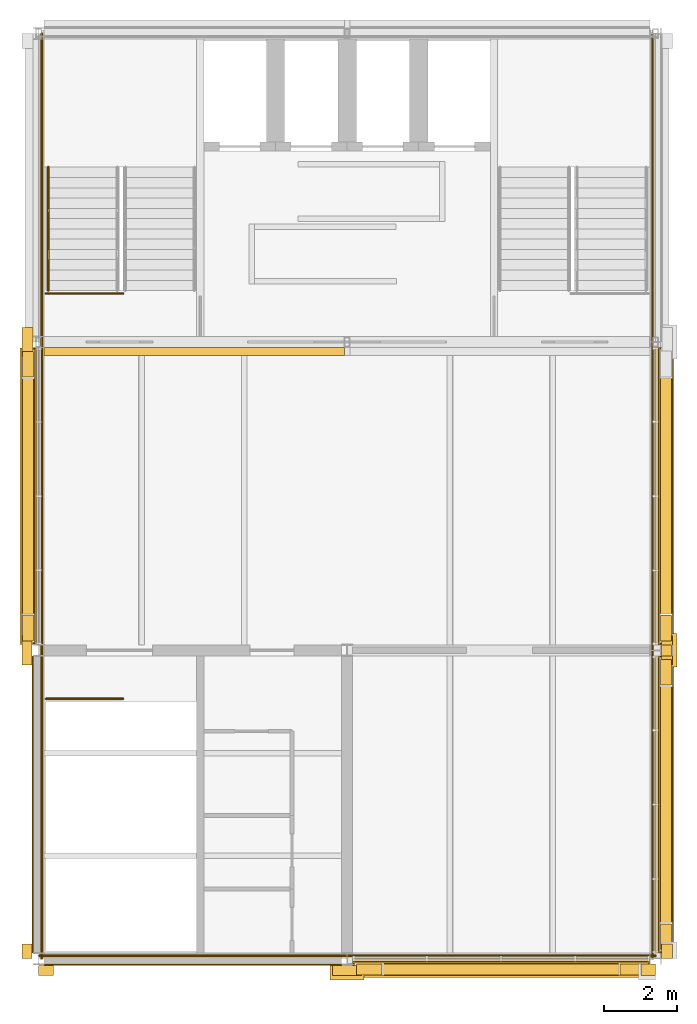
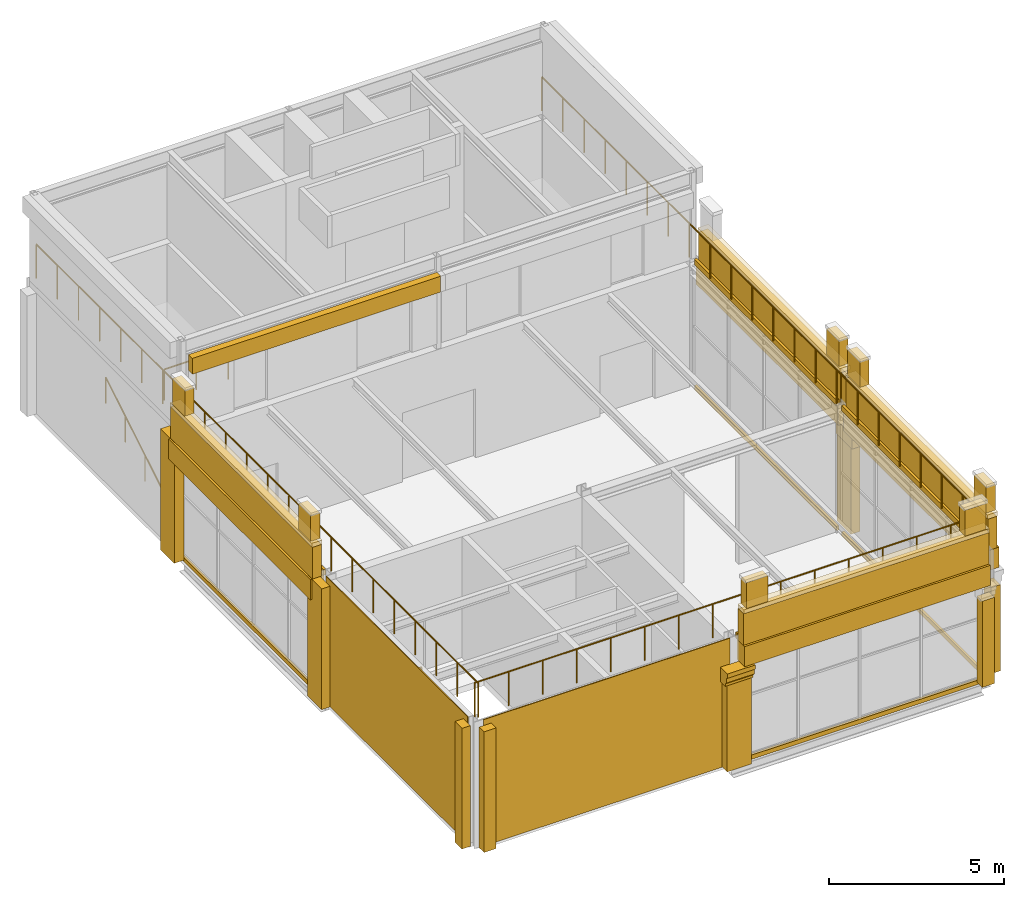
# One storey, part 6 of 7: 41 coverings, 6 railings.
"""IFC4 building model written with IfcOpenShell, lengths in metres."""

from ifc_helpers import new_model, si_unit, direction, frame, origin, origin_2d, place, context, subcontext, project, spatial, polyline, rectangle, circle, outline, extrude, material, layer, layer_set, type_object, element, save


model = new_model("IFC4")

# Units and contexts
model_context = context("Model", 3, precision=1e-05, world=origin(), true_north=direction((0.0, 1.0)))
body_context = subcontext(model_context, "Body", "Model", "MODEL_VIEW")
ifc_project = project(units=[si_unit("LENGTHUNIT", "METRE"), si_unit("AREAUNIT", "SQUARE_METRE"), si_unit("VOLUMEUNIT", "CUBIC_METRE"), si_unit("PLANEANGLEUNIT", "RADIAN"), si_unit("MASSUNIT", "GRAM", prefix="KILO")], contexts=[model_context])

# Site, building, storey
site_placement = place(None, origin())
site = spatial("IfcSite", under=ifc_project, at=site_placement, CompositionType="ELEMENT")
building_placement = place(site_placement, origin())
building = spatial("IfcBuilding", under=site, at=building_placement, Name="Galleria Vessillo Department Store", CompositionType="ELEMENT")
storey_placement = place(building_placement, frame((0.0, 0.0, 67.60009765625)))
storey = spatial("IfcBuildingStorey", under=building, at=storey_placement, Name="L15", CompositionType="ELEMENT", Elevation=67.60009765625)

# Coverings
ifc_material_1 = material(Name="Botticino limestone ashlar", Category="masonry")
ifc_layer_1 = layer(ifc_material_1, 0.449951171875)
ifc_layer_set_1 = layer_set([ifc_layer_1], Name="Botticino limestone ashlar")
covering_type_1 = type_object("IfcCoveringType", Name="Limestone cornice 450 x 700", PredefinedType="MOLDING", material=ifc_layer_set_1)
covering_1_placement = place(storey_placement, frame((100.51513671875, 50.39990234375, 3.5), z_axis=(0.0, 0.0, 1.0), x_axis=(1.0, 0.0, 0.0)))
element("IfcCovering", 1, at=covering_1_placement, inside=storey, type_object=covering_type_1, Name="Cornice TW-L15-01", PredefinedType="MOLDING", context=body_context, shape_type="SweptSolid", body=[
    extrude(rectangle(XDim=0.449951171875, YDim=8.080078125, at=origin_2d()), origin(), (0.0, 0.0, 1.0), 0.699951171875),
])
covering_2_placement = place(storey_placement, frame((113.39501953125, 37.51513671875, 3.5), z_axis=(0.0, 0.0, 1.0), x_axis=(1.0, 0.0, 0.0)))
element("IfcCovering", 2, at=covering_2_placement, inside=storey, type_object=covering_type_1, Name="Cornice TS-L15-01", PredefinedType="MOLDING", context=body_context, shape_type="SweptSolid", body=[
    extrude(rectangle(XDim=8.090087890625, YDim=0.449951171875, at=origin_2d()), origin(), (0.0, 0.0, 1.0), 0.699951171875),
])
covering_3_placement = place(storey_placement, frame((117.885009765625, 42.0, 3.5), z_axis=(0.0, 0.0, 1.0), x_axis=(1.0, 0.0, 0.0)))
element("IfcCovering", 3, at=covering_3_placement, inside=storey, type_object=covering_type_1, Name="Cornice TE-L15-01", PredefinedType="MOLDING", context=body_context, shape_type="SweptSolid", body=[
    extrude(rectangle(XDim=0.449951171875, YDim=8.099853515625, at=origin_2d()), origin(), (0.0, 0.0, 1.0), 0.699951171875),
])
covering_4_placement = place(storey_placement, frame((117.885009765625, 50.39990234375, 3.5), z_axis=(0.0, 0.0, 1.0), x_axis=(1.0, 0.0, 0.0)))
element("IfcCovering", 4, at=covering_4_placement, inside=storey, type_object=covering_type_1, Name="Cornice TE-L15-02", PredefinedType="MOLDING", context=body_context, shape_type="SweptSolid", body=[
    extrude(rectangle(XDim=0.449951171875, YDim=8.10009765625, at=origin_2d()), origin(), (0.0, 0.0, 1.0), 0.699951171875),
])
ifc_material_2 = material(Name="Botticino limestone ashlar", Category="masonry")
ifc_layer_2 = layer(ifc_material_2, 0.300048828125)
ifc_layer_set_2 = layer_set([ifc_layer_2], Name="Botticino limestone ashlar")
covering_type_2 = type_object("IfcCoveringType", Name="Limestone crown blocking course 300 x 1100", PredefinedType="CLADDING", material=ifc_layer_set_2)
covering_5_placement = place(storey_placement, frame((100.510009765625, 50.39990234375, 4.199951171875), z_axis=(0.0, 0.0, 1.0), x_axis=(1.0, 0.0, 0.0)))
element("IfcCovering", 5, at=covering_5_placement, inside=storey, type_object=covering_type_2, Name="Crown blocking course TW-L15-01", PredefinedType="CLADDING", context=body_context, shape_type="SweptSolid", body=[
    extrude(rectangle(XDim=0.300048828125, YDim=8.080078125, at=origin_2d()), origin(), (0.0, 0.0, 1.0), 1.10009765625),
])
covering_6_placement = place(storey_placement, frame((113.39501953125, 37.510009765625, 4.199951171875), z_axis=(0.0, 0.0, 1.0), x_axis=(1.0, 0.0, 0.0)))
element("IfcCovering", 6, at=covering_6_placement, inside=storey, type_object=covering_type_2, Name="Crown blocking course TS-L15-01", PredefinedType="CLADDING", context=body_context, shape_type="SweptSolid", body=[
    extrude(rectangle(XDim=8.090087890625, YDim=0.300048828125, at=origin_2d()), origin(), (0.0, 0.0, 1.0), 1.10009765625),
])
covering_7_placement = place(storey_placement, frame((117.89013671875, 42.0, 4.199951171875), z_axis=(0.0, 0.0, 1.0), x_axis=(1.0, 0.0, 0.0)))
element("IfcCovering", 7, at=covering_7_placement, inside=storey, type_object=covering_type_2, Name="Crown blocking course TE-L15-01", PredefinedType="CLADDING", context=body_context, shape_type="SweptSolid", body=[
    extrude(rectangle(XDim=0.300048828125, YDim=8.099853515625, at=origin_2d()), origin(), (0.0, 0.0, 1.0), 1.10009765625),
])
covering_8_placement = place(storey_placement, frame((117.89013671875, 50.39990234375, 4.199951171875), z_axis=(0.0, 0.0, 1.0), x_axis=(1.0, 0.0, 0.0)))
element("IfcCovering", 8, at=covering_8_placement, inside=storey, type_object=covering_type_2, Name="Crown blocking course TE-L15-02", PredefinedType="CLADDING", context=body_context, shape_type="SweptSolid", body=[
    extrude(rectangle(XDim=0.300048828125, YDim=8.10009765625, at=origin_2d()), origin(), (0.0, 0.0, 1.0), 1.10009765625),
])
covering_9_placement = place(storey_placement, frame((117.900146484375, 46.199951171875, 4.199951171875), z_axis=(0.0, 0.0, 1.0), x_axis=(1.0, 0.0, 0.0)))
element("IfcCovering", 9, at=covering_9_placement, inside=storey, type_object=covering_type_2, Name="Joint block Crown blocking course TE-L15-01", PredefinedType="CLADDING", context=body_context, shape_type="SweptSolid", body=[
    extrude(rectangle(XDim=0.27978515625, YDim=0.300048828125, at=origin_2d()), origin(), (0.0, 0.0, 1.0), 1.10009765625),
])
ifc_material_3 = material(Name="Botticino limestone ashlar", Category="masonry")
ifc_layer_3 = layer(ifc_material_3, 0.340087890625)
ifc_layer_set_3 = layer_set([ifc_layer_3], Name="Botticino limestone ashlar")
covering_type_3 = type_object("IfcCoveringType", Name="Limestone crown cap 340 x 150", PredefinedType="MOLDING", material=ifc_layer_set_3)
covering_10_placement = place(storey_placement, frame((100.510009765625, 50.39990234375, 5.300048828125), z_axis=(0.0, 0.0, 1.0), x_axis=(1.0, 0.0, 0.0)))
element("IfcCovering", 10, at=covering_10_placement, inside=storey, type_object=covering_type_3, Name="Crown cap TW-L15-01", PredefinedType="MOLDING", context=body_context, shape_type="SweptSolid", body=[
    extrude(rectangle(XDim=0.340087890625, YDim=8.080078125, at=origin_2d()), origin(), (0.0, 0.0, 1.0), 0.14990234375),
])
covering_11_placement = place(storey_placement, frame((113.39501953125, 37.510009765625, 5.300048828125), z_axis=(0.0, 0.0, 1.0), x_axis=(1.0, 0.0, 0.0)))
element("IfcCovering", 11, at=covering_11_placement, inside=storey, type_object=covering_type_3, Name="Crown cap TS-L15-01", PredefinedType="MOLDING", context=body_context, shape_type="SweptSolid", body=[
    extrude(rectangle(XDim=8.090087890625, YDim=0.340087890625, at=origin_2d()), origin(), (0.0, 0.0, 1.0), 0.14990234375),
])
covering_12_placement = place(storey_placement, frame((117.89013671875, 42.0, 5.300048828125), z_axis=(0.0, 0.0, 1.0), x_axis=(1.0, 0.0, 0.0)))
element("IfcCovering", 12, at=covering_12_placement, inside=storey, type_object=covering_type_3, Name="Crown cap TE-L15-01", PredefinedType="MOLDING", context=body_context, shape_type="SweptSolid", body=[
    extrude(rectangle(XDim=0.340087890625, YDim=8.099853515625, at=origin_2d()), origin(), (0.0, 0.0, 1.0), 0.14990234375),
])
covering_13_placement = place(storey_placement, frame((117.89013671875, 50.39990234375, 5.300048828125), z_axis=(0.0, 0.0, 1.0), x_axis=(1.0, 0.0, 0.0)))
element("IfcCovering", 13, at=covering_13_placement, inside=storey, type_object=covering_type_3, Name="Crown cap TE-L15-02", PredefinedType="MOLDING", context=body_context, shape_type="SweptSolid", body=[
    extrude(rectangle(XDim=0.340087890625, YDim=8.10009765625, at=origin_2d()), origin(), (0.0, 0.0, 1.0), 0.14990234375),
])
ifc_material_4 = material(Name="Botticino limestone ashlar", Category="masonry")
ifc_layer_4 = layer(ifc_material_4, 0.300048828125)
ifc_layer_set_4 = layer_set([ifc_layer_4], Name="Botticino limestone ashlar")
covering_type_4 = type_object("IfcCoveringType", Name="Limestone crown pedestal 700 x 300 x 900", PredefinedType="CLADDING", material=ifc_layer_set_4)
for number, where, z_axis, x_axis, name in (
    (14, (100.510009765625, 46.81005859375, 5.449951171875), (0.0, 0.0, 1.0), (1.0, 0.0, 0.0), "Crown pedestal TW-L15-01 0"),
    (15, (100.510009765625, 53.989990234375, 5.449951171875), (0.0, 0.0, 1.0), (1.0, 0.0, 0.0), "Crown pedestal TW-L15-01 1"),
):
    element("IfcCovering", number, at=place(storey_placement, frame(where, z_axis=z_axis, x_axis=x_axis)), inside=storey, type_object=covering_type_4, Name=name, PredefinedType="CLADDING", context=body_context, shape_type="SweptSolid", body=[
        extrude(rectangle(XDim=0.300048828125, YDim=0.699951171875, at=origin_2d()), origin(), (0.0, 0.0, 1.0), 0.89990234375),
    ])
for number, where, z_axis, x_axis, name in (
    (16, (109.800048828125, 37.510009765625, 5.449951171875), (0.0, 0.0, 1.0), (1.0, 0.0, 0.0), "Crown pedestal TS-L15-01 0"),
    (17, (116.989990234375, 37.510009765625, 5.449951171875), (0.0, 0.0, 1.0), (1.0, 0.0, 0.0), "Crown pedestal TS-L15-01 1"),
):
    element("IfcCovering", number, at=place(storey_placement, frame(where, z_axis=z_axis, x_axis=x_axis)), inside=storey, type_object=covering_type_4, Name=name, PredefinedType="CLADDING", context=body_context, shape_type="SweptSolid", body=[
        extrude(rectangle(XDim=0.699951171875, YDim=0.300048828125, at=origin_2d()), origin(), (0.0, 0.0, 1.0), 0.89990234375),
    ])
for number, where, z_axis, x_axis, name in (
    (18, (117.89013671875, 38.400146484375, 5.449951171875), (0.0, 0.0, 1.0), (1.0, 0.0, 0.0), "Crown pedestal TE-L15-01 0"),
    (19, (117.89013671875, 45.599853515625, 5.449951171875), (0.0, 0.0, 1.0), (1.0, 0.0, 0.0), "Crown pedestal TE-L15-01 1"),
    (20, (117.89013671875, 46.800048828125, 5.449951171875), (0.0, 0.0, 1.0), (1.0, 0.0, 0.0), "Crown pedestal TE-L15-02 0"),
):
    element("IfcCovering", number, at=place(storey_placement, frame(where, z_axis=z_axis, x_axis=x_axis)), inside=storey, type_object=covering_type_4, Name=name, PredefinedType="CLADDING", context=body_context, shape_type="SweptSolid", body=[
        extrude(rectangle(XDim=0.300048828125, YDim=0.699951171875, at=origin_2d()), origin(), (0.0, 0.0, 1.0), 0.89990234375),
    ])
ifc_material_5 = material(Name="Botticino limestone ashlar", Category="masonry")
ifc_layer_5 = layer(ifc_material_5, 0.219970703125)
ifc_layer_set_5 = layer_set([ifc_layer_5], Name="Botticino limestone ashlar")
covering_type_5 = type_object("IfcCoveringType", Name="Limestone head-house cornice 220 x 550", PredefinedType="MOLDING", material=ifc_layer_set_5)
covering_14_placement = place(storey_placement, frame((105.03759765625, 54.340087890625, 6.35009765625), z_axis=(0.0, 0.0, 1.0), x_axis=(1.0, 0.0, 0.0)))
element("IfcCovering", 21, at=covering_14_placement, inside=storey, type_object=covering_type_5, Name="Head-house cornice south-1", PredefinedType="MOLDING", context=body_context, shape_type="SweptSolid", body=[
    extrude(rectangle(XDim=8.175048828125, YDim=0.219970703125, at=origin_2d()), origin(), (0.0, 0.0, 1.0), 0.550048828125),
])
ifc_material_6 = material(Name="Botticino limestone ashlar", Category="masonry")
ifc_layer_6 = layer(ifc_material_6, 0.14990234375)
ifc_layer_set_6 = layer_set([ifc_layer_6], Name="Botticino limestone ashlar")
covering_type_6 = type_object("IfcCoveringType", Name="Limestone slab-edge fascia 150 mm", PredefinedType="CLADDING", material=ifc_layer_set_6)
covering_15_placement = place(storey_placement, frame((100.760009765625, 50.39990234375, -0.14990234375), z_axis=(0.0, 0.0, 1.0), x_axis=(1.0, 0.0, 0.0)))
element("IfcCovering", 22, at=covering_15_placement, inside=storey, type_object=covering_type_6, Name="Slab-edge fascia TW-L14-01", PredefinedType="CLADDING", context=body_context, shape_type="SweptSolid", body=[
    extrude(rectangle(XDim=0.080078125, YDim=8.080078125, at=origin_2d()), origin(), (0.0, 0.0, 1.0), 0.14990234375),
])
covering_16_placement = place(storey_placement, frame((113.39501953125, 37.760009765625, -0.14990234375), z_axis=(0.0, 0.0, 1.0), x_axis=(1.0, 0.0, 0.0)))
element("IfcCovering", 23, at=covering_16_placement, inside=storey, type_object=covering_type_6, Name="Slab-edge fascia TS-L14-01", PredefinedType="CLADDING", context=body_context, shape_type="SweptSolid", body=[
    extrude(rectangle(XDim=8.090087890625, YDim=0.080078125, at=origin_2d()), origin(), (0.0, 0.0, 1.0), 0.14990234375),
])
covering_17_placement = place(storey_placement, frame((117.64013671875, 42.0, -0.14990234375), z_axis=(0.0, 0.0, 1.0), x_axis=(1.0, 0.0, 0.0)))
element("IfcCovering", 24, at=covering_17_placement, inside=storey, type_object=covering_type_6, Name="Slab-edge fascia TE-L14-01", PredefinedType="CLADDING", context=body_context, shape_type="SweptSolid", body=[
    extrude(rectangle(XDim=0.080078125, YDim=8.099853515625, at=origin_2d()), origin(), (0.0, 0.0, 1.0), 0.14990234375),
])
covering_18_placement = place(storey_placement, frame((117.64013671875, 50.39990234375, -0.14990234375), z_axis=(0.0, 0.0, 1.0), x_axis=(1.0, 0.0, 0.0)))
element("IfcCovering", 25, at=covering_18_placement, inside=storey, type_object=covering_type_6, Name="Slab-edge fascia TE-L14-02", PredefinedType="CLADDING", context=body_context, shape_type="SweptSolid", body=[
    extrude(rectangle(XDim=0.080078125, YDim=8.10009765625, at=origin_2d()), origin(), (0.0, 0.0, 1.0), 0.14990234375),
])
covering_19_placement = place(storey_placement, frame((100.760009765625, 50.39990234375, 4.19970703125), z_axis=(0.0, 0.0, 1.0), x_axis=(1.0, 0.0, 0.0)))
element("IfcCovering", 26, at=covering_19_placement, inside=storey, type_object=covering_type_6, Name="Slab-edge fascia TW-L15-01", PredefinedType="CLADDING", context=body_context, shape_type="SweptSolid", body=[
    extrude(rectangle(XDim=0.080078125, YDim=8.080078125, at=origin_2d()), origin(), (0.0, 0.0, 1.0), 0.199951171875),
])
covering_20_placement = place(storey_placement, frame((113.39501953125, 37.760009765625, 4.19970703125), z_axis=(0.0, 0.0, 1.0), x_axis=(1.0, 0.0, 0.0)))
element("IfcCovering", 27, at=covering_20_placement, inside=storey, type_object=covering_type_6, Name="Slab-edge fascia TS-L15-01", PredefinedType="CLADDING", context=body_context, shape_type="SweptSolid", body=[
    extrude(rectangle(XDim=8.090087890625, YDim=0.080078125, at=origin_2d()), origin(), (0.0, 0.0, 1.0), 0.199951171875),
])
covering_21_placement = place(storey_placement, frame((117.64013671875, 42.0, 4.19970703125), z_axis=(0.0, 0.0, 1.0), x_axis=(1.0, 0.0, 0.0)))
element("IfcCovering", 28, at=covering_21_placement, inside=storey, type_object=covering_type_6, Name="Slab-edge fascia TE-L15-01", PredefinedType="CLADDING", context=body_context, shape_type="SweptSolid", body=[
    extrude(rectangle(XDim=0.080078125, YDim=8.099853515625, at=origin_2d()), origin(), (0.0, 0.0, 1.0), 0.199951171875),
])
covering_22_placement = place(storey_placement, frame((117.64013671875, 50.39990234375, 4.19970703125), z_axis=(0.0, 0.0, 1.0), x_axis=(1.0, 0.0, 0.0)))
element("IfcCovering", 29, at=covering_22_placement, inside=storey, type_object=covering_type_6, Name="Slab-edge fascia TE-L15-02", PredefinedType="CLADDING", context=body_context, shape_type="SweptSolid", body=[
    extrude(rectangle(XDim=0.080078125, YDim=8.10009765625, at=origin_2d()), origin(), (0.0, 0.0, 1.0), 0.199951171875),
])
ifc_material_7 = material(Name="Botticino limestone ashlar", Category="masonry")
ifc_layer_7 = layer(ifc_material_7, 0.31005859375)
ifc_layer_set_7 = layer_set([ifc_layer_7], Name="Botticino limestone ashlar")
covering_type_7 = type_object("IfcCoveringType", Name="Limestone tower pilaster strip", PredefinedType="CLADDING", material=ifc_layer_set_7)
covering_23_placement = place(storey_placement, frame((100.47998046875, 38.0, 0.0), z_axis=(0.0, 0.0, 1.0), x_axis=(1.0, 0.0, 0.0)))
element("IfcCovering", 30, at=covering_23_placement, inside=storey, type_object=covering_type_7, Name="Tower pilaster strip W L15 37.8", PredefinedType="CLADDING", context=body_context, shape_type="SweptSolid", body=[
    extrude(rectangle(XDim=0.280029296875, YDim=0.39990234375, at=origin_2d()), origin(), (0.0, 0.0, 1.0), 4.199951171875),
])
covering_24_placement = place(storey_placement, frame((100.47998046875, 46.199951171875, 0.0), z_axis=(0.0, 0.0, 1.0), x_axis=(1.0, 0.0, 0.0)))
element("IfcCovering", 31, at=covering_24_placement, inside=storey, type_object=covering_type_7, Name="Tower pilaster strip W L15 46.2", PredefinedType="CLADDING", context=body_context, shape_type="SweptSolid", body=[
    extrude(rectangle(XDim=0.280029296875, YDim=0.800048828125, at=origin_2d()), origin(), (0.0, 0.0, 1.0), 4.199951171875),
])
covering_25_placement = place(storey_placement, frame((100.4951171875, 54.60009765625, 0.0), z_axis=(0.0, 0.0, 1.0), x_axis=(1.0, 0.0, 0.0)))
element("IfcCovering", 32, at=covering_25_placement, inside=storey, type_object=covering_type_7, Name="Tower pilaster strip W L15 54.6", PredefinedType="CLADDING", context=body_context, shape_type="SweptSolid", body=[
    extrude(rectangle(XDim=0.31005859375, YDim=0.800048828125, at=origin_2d()), origin(), (0.0, 0.0, 1.0), 4.199951171875),
])
covering_26_placement = place(storey_placement, frame((117.909912109375, 38.0, 0.0), z_axis=(0.0, 0.0, 1.0), x_axis=(1.0, 0.0, 0.0)))
element("IfcCovering", 33, at=covering_26_placement, inside=storey, type_object=covering_type_7, Name="Tower pilaster strip E L15 37.8", PredefinedType="CLADDING", context=body_context, shape_type="SweptSolid", body=[
    extrude(rectangle(XDim=0.300048828125, YDim=0.39990234375, at=origin_2d()), origin(), (0.0, 0.0, 1.0), 3.0),
])
covering_27_placement = place(storey_placement, frame((117.909912109375, 46.199951171875, 0.0), z_axis=(0.0, 0.0, 1.0), x_axis=(1.0, 0.0, 0.0)))
element("IfcCovering", 34, at=covering_27_placement, inside=storey, type_object=covering_type_7, Name="Tower pilaster strip E L15 46.2", PredefinedType="CLADDING", context=body_context, shape_type="SweptSolid", body=[
    extrude(rectangle(XDim=0.300048828125, YDim=0.800048828125, at=origin_2d()), origin(), (0.0, 0.0, 1.0), 3.0),
])
covering_28_placement = place(storey_placement, frame((101.0, 37.47998046875, 0.0), z_axis=(0.0, 0.0, 1.0), x_axis=(1.0, 0.0, 0.0)))
element("IfcCovering", 35, at=covering_28_placement, inside=storey, type_object=covering_type_7, Name="Tower pilaster strip S L15 100.8", PredefinedType="CLADDING", context=body_context, shape_type="SweptSolid", body=[
    extrude(rectangle(XDim=0.39990234375, YDim=0.280029296875, at=origin_2d()), origin(), (0.0, 0.0, 1.0), 4.199951171875),
])
covering_29_placement = place(storey_placement, frame((109.199951171875, 37.47998046875, 0.0), z_axis=(0.0, 0.0, 1.0), x_axis=(1.0, 0.0, 0.0)))
element("IfcCovering", 36, at=covering_29_placement, inside=storey, type_object=covering_type_7, Name="Tower pilaster strip S L15 109.2", PredefinedType="CLADDING", context=body_context, shape_type="SweptSolid", body=[
    extrude(rectangle(XDim=0.800048828125, YDim=0.280029296875, at=origin_2d()), origin(), (0.0, 0.0, 1.0), 3.0),
])
covering_30_placement = place(storey_placement, frame((117.400146484375, 37.4951171875, 0.0), z_axis=(0.0, 0.0, 1.0), x_axis=(1.0, 0.0, 0.0)))
element("IfcCovering", 37, at=covering_30_placement, inside=storey, type_object=covering_type_7, Name="Tower pilaster strip S L15 117.6", PredefinedType="CLADDING", context=body_context, shape_type="SweptSolid", body=[
    extrude(rectangle(XDim=0.39990234375, YDim=0.31005859375, at=origin_2d()), origin(), (0.0, 0.0, 1.0), 3.0),
])
ifc_material_8 = material(Name="Botticino limestone ashlar", Category="masonry")
ifc_layer_8 = layer(ifc_material_8, 0.429931640625)
ifc_layer_set_8 = layer_set([ifc_layer_8], Name="Botticino limestone ashlar")
covering_type_8 = type_object("IfcCoveringType", Name="Limestone tower strip capital", PredefinedType="MOLDING", material=ifc_layer_set_8)
covering_31_placement = place(storey_placement, frame((117.60009765625, 46.659912109375, 3.0), z_axis=(0.0, -1.0, 0.0), x_axis=(1.0, 0.0, 0.0)))
element("IfcCovering", 38, at=covering_31_placement, inside=storey, type_object=covering_type_8, Name="Tower strip capital E L15 46.2", PredefinedType="MOLDING", context=body_context, shape_type="SweptSolid", body=[
    extrude(outline(polyline([(0.159912109375, 0.0), (0.4599609375, 0.0), (0.4599609375, 0.083251953125), (0.52001953125, 0.14990234375), (0.52001953125, 0.316650390625), (0.580078125, 0.35009765625), (0.580078125, 0.5), (0.159912109375, 0.5), (0.159912109375, 0.0)])), origin(), (0.0, 0.0, 1.0), 0.919921875),
])
covering_32_placement = place(storey_placement, frame((109.659912109375, 37.800048828125, 3.0), z_axis=(-1.0, 0.0, 0.0), x_axis=(0.0, -1.0, 0.0)))
element("IfcCovering", 39, at=covering_32_placement, inside=storey, type_object=covering_type_8, Name="Tower strip capital S L15 109.2", PredefinedType="MOLDING", context=body_context, shape_type="SweptSolid", body=[
    extrude(outline(polyline([(0.179931640625, 0.0), (0.4599609375, 0.0), (0.4599609375, 0.083251953125), (0.52001953125, 0.14990234375), (0.52001953125, 0.316650390625), (0.580078125, 0.35009765625), (0.580078125, 0.5), (0.179931640625, 0.5), (0.179931640625, 0.0)])), origin(), (0.0, 0.0, 1.0), 0.919921875),
])
ifc_material_9 = material(Name="Botticino limestone ashlar", Category="masonry")
ifc_layer_9 = layer(ifc_material_9, 0.030029296875)
ifc_layer_set_9 = layer_set([ifc_layer_9], Name="Botticino limestone ashlar")
covering_type_9 = type_object("IfcCoveringType", Name="Limestone wall cladding 30 mm", PredefinedType="CLADDING", material=ifc_layer_set_9)
covering_33_placement = place(storey_placement, frame((105.0, 37.635009765625, 0.0), z_axis=(0.0, 0.0, 1.0), x_axis=(1.0, 0.0, 0.0)))
element("IfcCovering", 40, at=covering_33_placement, inside=storey, type_object=covering_type_9, Name="Wall cladding S-CW-TS-PARTY-L15", PredefinedType="CLADDING", context=body_context, shape_type="SweptSolid", body=[
    extrude(rectangle(XDim=8.099853515625, YDim=0.030029296875, at=origin_2d()), origin(), (0.0, 0.0, 1.0), 4.400146484375),
])
covering_34_placement = place(storey_placement, frame((100.635009765625, 42.0, 0.0), z_axis=(0.0, 0.0, 1.0), x_axis=(1.0, 0.0, 0.0)))
element("IfcCovering", 41, at=covering_34_placement, inside=storey, type_object=covering_type_9, Name="Wall cladding S-CW-TS-WEST-L15", PredefinedType="CLADDING", context=body_context, shape_type="SweptSolid", body=[
    extrude(rectangle(XDim=0.030029296875, YDim=8.079833984375, at=origin_2d()), origin(), (0.0, 0.0, 1.0), 4.400146484375),
])

# Railings
ifc_material_10 = material(Name="Limestone ashlar balusters", Category="masonry")
railing_type_1 = type_object("IfcRailingType", Name="Roof belvedere balustrade 1200 mm", PredefinedType="BALUSTRADE", material=ifc_material_10)
railing_1_placement = place(storey_placement, frame((100.800048828125, 37.880126953125, 4.39990234375)))
element("IfcRailing", 42, at=railing_1_placement, inside=storey, type_object=railing_type_1, Name="Roof balustrade L15-01", PredefinedType="BALUSTRADE", context=body_context, shape_type="SweptSolid", body=[
    extrude(circle(Radius=0.02392578125, at=origin_2d()), frame((0.0, 0.0, 1.17578125), z_axis=(1.0, 0.0, 0.0), x_axis=(0.0, 1.0, 0.0)), (0.0, 0.0, 1.0), 16.800048828125),
    extrude(circle(Radius=0.02099609375, at=origin_2d()), origin(), (0.0, 0.0, 1.0), 1.15185546875),
    extrude(circle(Radius=0.02099609375, at=origin_2d()), frame((1.1201171875, 0.0, 0.0)), (0.0, 0.0, 1.0), 1.15185546875),
    extrude(circle(Radius=0.02099609375, at=origin_2d()), frame((2.239990234375, 0.0, 0.0)), (0.0, 0.0, 1.0), 1.15185546875),
    extrude(circle(Radius=0.02099609375, at=origin_2d()), frame((3.360107421875, 0.0, 0.0)), (0.0, 0.0, 1.0), 1.15185546875),
    extrude(circle(Radius=0.02099609375, at=origin_2d()), frame((4.47998046875, 0.0, 0.0)), (0.0, 0.0, 1.0), 1.15185546875),
    extrude(circle(Radius=0.02099609375, at=origin_2d()), frame((5.60009765625, 0.0, 0.0)), (0.0, 0.0, 1.0), 1.15185546875),
    extrude(circle(Radius=0.02099609375, at=origin_2d()), frame((6.719970703125, 0.0, 0.0)), (0.0, 0.0, 1.0), 1.15185546875),
    extrude(circle(Radius=0.02099609375, at=origin_2d()), frame((7.840087890625, 0.0, 0.0)), (0.0, 0.0, 1.0), 1.15185546875),
    extrude(circle(Radius=0.02099609375, at=origin_2d()), frame((8.9599609375, 0.0, 0.0)), (0.0, 0.0, 1.0), 1.15185546875),
    extrude(circle(Radius=0.02099609375, at=origin_2d()), frame((10.080078125, 0.0, 0.0)), (0.0, 0.0, 1.0), 1.15185546875),
    extrude(circle(Radius=0.02099609375, at=origin_2d()), frame((11.199951171875, 0.0, 0.0)), (0.0, 0.0, 1.0), 1.15185546875),
    extrude(circle(Radius=0.02099609375, at=origin_2d()), frame((12.320068359375, 0.0, 0.0)), (0.0, 0.0, 1.0), 1.15185546875),
    extrude(circle(Radius=0.02099609375, at=origin_2d()), frame((13.43994140625, 0.0, 0.0)), (0.0, 0.0, 1.0), 1.15185546875),
    extrude(circle(Radius=0.02099609375, at=origin_2d()), frame((14.56005859375, 0.0, 0.0)), (0.0, 0.0, 1.0), 1.15185546875),
    extrude(circle(Radius=0.02099609375, at=origin_2d()), frame((15.679931640625, 0.0, 0.0)), (0.0, 0.0, 1.0), 1.15185546875),
    extrude(circle(Radius=0.02099609375, at=origin_2d()), frame((16.800048828125, 0.0, 0.0)), (0.0, 0.0, 1.0), 1.15185546875),
])
railing_2_placement = place(storey_placement, frame((117.52001953125, 37.800048828125, 4.39990234375)))
element("IfcRailing", 43, at=railing_2_placement, inside=storey, type_object=railing_type_1, Name="Roof balustrade L15-02", PredefinedType="BALUSTRADE", context=body_context, shape_type="SweptSolid", body=[
    extrude(circle(Radius=0.02392578125, at=origin_2d()), frame((0.0, 0.0, 1.17578125), z_axis=(0.0, 1.0, 0.0), x_axis=(-1.0, 0.0, 0.0)), (0.0, 0.0, 1.0), 25.199951171875),
    extrude(circle(Radius=0.02099609375, at=origin_2d()), origin(), (0.0, 0.0, 1.0), 1.15185546875),
    extrude(circle(Radius=0.02099609375, at=origin_2d()), frame((0.0, 1.199951171875, 0.0)), (0.0, 0.0, 1.0), 1.15185546875),
    extrude(circle(Radius=0.02099609375, at=origin_2d()), frame((0.0, 2.39990234375, 0.0)), (0.0, 0.0, 1.0), 1.15185546875),
    extrude(circle(Radius=0.02099609375, at=origin_2d()), frame((0.0, 3.60009765625, 0.0)), (0.0, 0.0, 1.0), 1.15185546875),
    extrude(circle(Radius=0.02099609375, at=origin_2d()), frame((0.0, 4.800048828125, 0.0)), (0.0, 0.0, 1.0), 1.15185546875),
    extrude(circle(Radius=0.02099609375, at=origin_2d()), frame((0.0, 6.0, 0.0)), (0.0, 0.0, 1.0), 1.15185546875),
    extrude(circle(Radius=0.02099609375, at=origin_2d()), frame((0.0, 7.199951171875, 0.0)), (0.0, 0.0, 1.0), 1.15185546875),
    extrude(circle(Radius=0.02099609375, at=origin_2d()), frame((0.0, 8.39990234375, 0.0)), (0.0, 0.0, 1.0), 1.15185546875),
    extrude(circle(Radius=0.02099609375, at=origin_2d()), frame((0.0, 9.60009765625, 0.0)), (0.0, 0.0, 1.0), 1.15185546875),
    extrude(circle(Radius=0.02099609375, at=origin_2d()), frame((0.0, 10.800048828125, 0.0)), (0.0, 0.0, 1.0), 1.15185546875),
    extrude(circle(Radius=0.02099609375, at=origin_2d()), frame((0.0, 12.0, 0.0)), (0.0, 0.0, 1.0), 1.15185546875),
    extrude(circle(Radius=0.02099609375, at=origin_2d()), frame((0.0, 13.199951171875, 0.0)), (0.0, 0.0, 1.0), 1.15185546875),
    extrude(circle(Radius=0.02099609375, at=origin_2d()), frame((0.0, 14.39990234375, 0.0)), (0.0, 0.0, 1.0), 1.15185546875),
    extrude(circle(Radius=0.02099609375, at=origin_2d()), frame((0.0, 15.599853515625, 0.0)), (0.0, 0.0, 1.0), 1.15185546875),
    extrude(circle(Radius=0.02099609375, at=origin_2d()), frame((0.0, 16.800048828125, 0.0)), (0.0, 0.0, 1.0), 1.15185546875),
    extrude(circle(Radius=0.02099609375, at=origin_2d()), frame((0.0, 18.0, 0.0)), (0.0, 0.0, 1.0), 1.15185546875),
    extrude(circle(Radius=0.02099609375, at=origin_2d()), frame((0.0, 19.199951171875, 0.0)), (0.0, 0.0, 1.0), 1.15185546875),
    extrude(circle(Radius=0.02099609375, at=origin_2d()), frame((0.0, 20.39990234375, 0.0)), (0.0, 0.0, 1.0), 1.15185546875),
    extrude(circle(Radius=0.02099609375, at=origin_2d()), frame((0.0, 21.599853515625, 0.0)), (0.0, 0.0, 1.0), 1.15185546875),
    extrude(circle(Radius=0.02099609375, at=origin_2d()), frame((0.0, 22.800048828125, 0.0)), (0.0, 0.0, 1.0), 1.15185546875),
    extrude(circle(Radius=0.02099609375, at=origin_2d()), frame((0.0, 24.0, 0.0)), (0.0, 0.0, 1.0), 1.15185546875),
    extrude(circle(Radius=0.02099609375, at=origin_2d()), frame((0.0, 25.199951171875, 0.0)), (0.0, 0.0, 1.0), 1.15185546875),
])
railing_3_placement = place(storey_placement, frame((100.880126953125, 37.800048828125, 4.39990234375)))
element("IfcRailing", 44, at=railing_3_placement, inside=storey, type_object=railing_type_1, Name="Roof balustrade L15-04", PredefinedType="BALUSTRADE", context=body_context, shape_type="SweptSolid", body=[
    extrude(circle(Radius=0.02392578125, at=origin_2d()), frame((0.0, 0.0, 1.17578125), z_axis=(0.0, 1.0, 0.0), x_axis=(-1.0, 0.0, 0.0)), (0.0, 0.0, 1.0), 25.199951171875),
    extrude(circle(Radius=0.02099609375, at=origin_2d()), origin(), (0.0, 0.0, 1.0), 1.15185546875),
    extrude(circle(Radius=0.02099609375, at=origin_2d()), frame((0.0, 1.199951171875, 0.0)), (0.0, 0.0, 1.0), 1.15185546875),
    extrude(circle(Radius=0.02099609375, at=origin_2d()), frame((0.0, 2.39990234375, 0.0)), (0.0, 0.0, 1.0), 1.15185546875),
    extrude(circle(Radius=0.02099609375, at=origin_2d()), frame((0.0, 3.60009765625, 0.0)), (0.0, 0.0, 1.0), 1.15185546875),
    extrude(circle(Radius=0.02099609375, at=origin_2d()), frame((0.0, 4.800048828125, 0.0)), (0.0, 0.0, 1.0), 1.15185546875),
    extrude(circle(Radius=0.02099609375, at=origin_2d()), frame((0.0, 6.0, 0.0)), (0.0, 0.0, 1.0), 1.15185546875),
    extrude(circle(Radius=0.02099609375, at=origin_2d()), frame((0.0, 7.199951171875, 0.0)), (0.0, 0.0, 1.0), 1.15185546875),
    extrude(circle(Radius=0.02099609375, at=origin_2d()), frame((0.0, 8.39990234375, 0.0)), (0.0, 0.0, 1.0), 1.15185546875),
    extrude(circle(Radius=0.02099609375, at=origin_2d()), frame((0.0, 9.60009765625, 0.0)), (0.0, 0.0, 1.0), 1.15185546875),
    extrude(circle(Radius=0.02099609375, at=origin_2d()), frame((0.0, 10.800048828125, 0.0)), (0.0, 0.0, 1.0), 1.15185546875),
    extrude(circle(Radius=0.02099609375, at=origin_2d()), frame((0.0, 12.0, 0.0)), (0.0, 0.0, 1.0), 1.15185546875),
    extrude(circle(Radius=0.02099609375, at=origin_2d()), frame((0.0, 13.199951171875, 0.0)), (0.0, 0.0, 1.0), 1.15185546875),
    extrude(circle(Radius=0.02099609375, at=origin_2d()), frame((0.0, 14.39990234375, 0.0)), (0.0, 0.0, 1.0), 1.15185546875),
    extrude(circle(Radius=0.02099609375, at=origin_2d()), frame((0.0, 15.599853515625, 0.0)), (0.0, 0.0, 1.0), 1.15185546875),
    extrude(circle(Radius=0.02099609375, at=origin_2d()), frame((0.0, 16.800048828125, 0.0)), (0.0, 0.0, 1.0), 1.15185546875),
    extrude(circle(Radius=0.02099609375, at=origin_2d()), frame((0.0, 18.0, 0.0)), (0.0, 0.0, 1.0), 1.15185546875),
    extrude(circle(Radius=0.02099609375, at=origin_2d()), frame((0.0, 19.199951171875, 0.0)), (0.0, 0.0, 1.0), 1.15185546875),
    extrude(circle(Radius=0.02099609375, at=origin_2d()), frame((0.0, 20.39990234375, 0.0)), (0.0, 0.0, 1.0), 1.15185546875),
    extrude(circle(Radius=0.02099609375, at=origin_2d()), frame((0.0, 21.599853515625, 0.0)), (0.0, 0.0, 1.0), 1.15185546875),
    extrude(circle(Radius=0.02099609375, at=origin_2d()), frame((0.0, 22.800048828125, 0.0)), (0.0, 0.0, 1.0), 1.15185546875),
    extrude(circle(Radius=0.02099609375, at=origin_2d()), frame((0.0, 24.0, 0.0)), (0.0, 0.0, 1.0), 1.15185546875),
    extrude(circle(Radius=0.02099609375, at=origin_2d()), frame((0.0, 25.199951171875, 0.0)), (0.0, 0.0, 1.0), 1.15185546875),
])
ifc_material_11 = material(Name="Stainless steel tube", Category="steel")
railing_type_2 = type_object("IfcRailingType", Name="Stair handrail steel tube 48 mm", PredefinedType="HANDRAIL", material=ifc_material_11)
railing_4_placement = place(storey_placement, frame((101.06005859375, 56.0, 0.169189453125)))
element("IfcRailing", 45, at=railing_4_placement, inside=storey, type_object=railing_type_2, Name="Handrail ST8 L15 flight 1A", PredefinedType="HANDRAIL", context=body_context, shape_type="SweptSolid", body=[
    extrude(circle(Radius=0.02392578125, at=origin_2d()), frame((0.0, 0.0, 0.89599609375), z_axis=(0.0, 0.855826086875, 0.517263674565), x_axis=(-1.0, 0.0, 0.0)), (0.0, 0.0, 1.0), 1.308837890625),
    extrude(circle(Radius=0.02392578125, at=origin_2d()), frame((0.0, 1.1201171875, 1.57275390625), z_axis=(0.0, 0.855776165093, 0.517346262438), x_axis=(-1.0, 0.0, 0.0)), (0.0, 0.0, 1.0), 1.30859375),
    extrude(circle(Radius=0.02392578125, at=origin_2d()), frame((0.0, 2.239990234375, 2.25), z_axis=(0.0, 0.855908661032, 0.517127028854), x_axis=(-1.0, 0.0, 0.0)), (0.0, 0.0, 1.0), 1.30859375),
    extrude(circle(Radius=0.02099609375, at=origin_2d()), origin(), (0.0, 0.0, 1.0), 0.871826171875),
    extrude(circle(Radius=0.02099609375, at=origin_2d()), frame((0.0, 1.1201171875, 0.677001953125)), (0.0, 0.0, 1.0), 0.871826171875),
    extrude(circle(Radius=0.02099609375, at=origin_2d()), frame((0.0, 2.239990234375, 1.35400390625)), (0.0, 0.0, 1.0), 0.871826171875),
    extrude(circle(Radius=0.02099609375, at=origin_2d()), frame((0.0, 3.360107421875, 2.03076171875)), (0.0, 0.0, 1.0), 0.871826171875),
])
ifc_material_12 = material(Name="Stainless steel tube", Category="steel")
railing_type_3 = type_object("IfcRailingType", Name="Stair well guard 1100 mm", PredefinedType="GUARDRAIL", material=ifc_material_12)
for number, where, name in (
    (46, (101.0, 55.919921875, 4.39990234375), "Stair well guard ST8 L15"),
    (47, (101.0, 44.880126953125, 0.0), "Stair well guard ST12 L15"),
):
    element("IfcRailing", number, at=place(storey_placement, frame(where)), inside=storey, type_object=railing_type_3, Name=name, PredefinedType="GUARDRAIL", context=body_context, shape_type="SweptSolid", body=[
        extrude(circle(Radius=0.02392578125, at=origin_2d()), frame((0.0, 0.0, 1.076171875), z_axis=(1.0, 0.0, 0.0), x_axis=(0.0, 1.0, 0.0)), (0.0, 0.0, 1.0), 2.10009765625),
        extrude(circle(Radius=0.02099609375, at=origin_2d()), origin(), (0.0, 0.0, 1.0), 1.052001953125),
        extrude(circle(Radius=0.02099609375, at=origin_2d()), frame((1.050048828125, 0.0, 0.0)), (0.0, 0.0, 1.0), 1.052001953125),
        extrude(circle(Radius=0.02099609375, at=origin_2d()), frame((2.10009765625, 0.0, 0.0)), (0.0, 0.0, 1.0), 1.052001953125),
    ])

save(model, "model.ifc")
